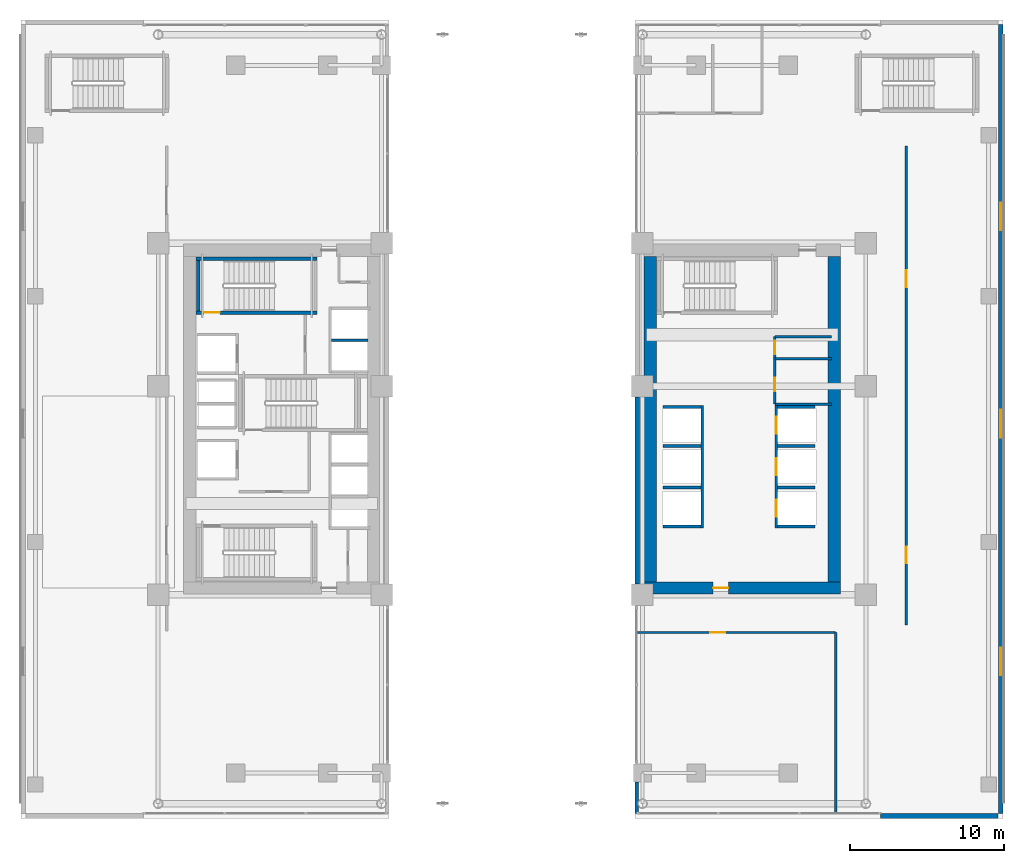
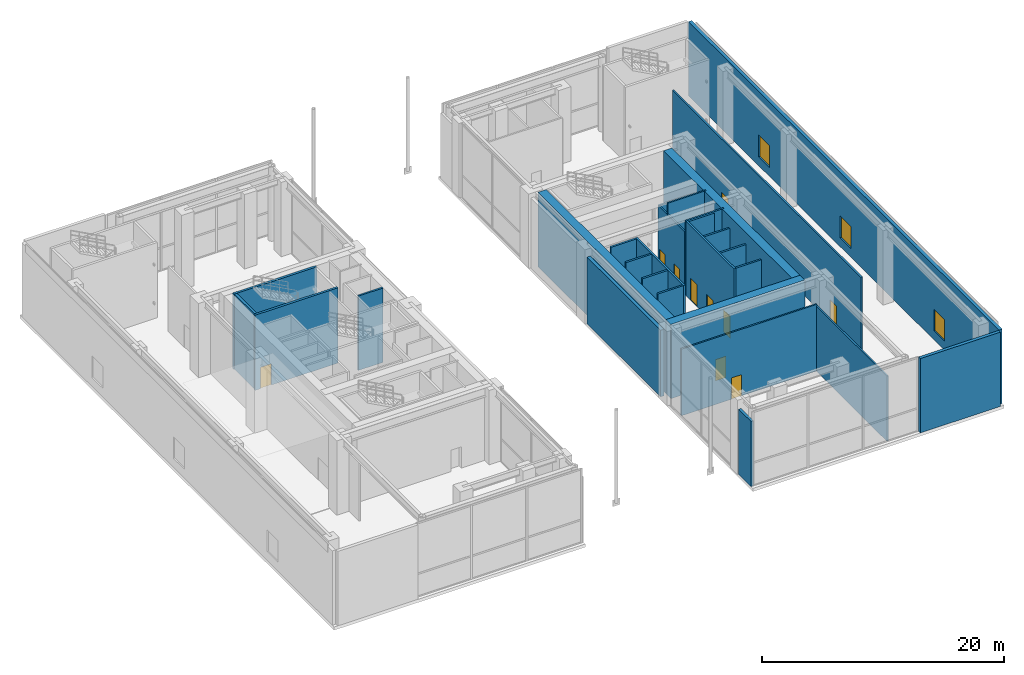
# One storey, part 21 of 29: 28 walls, 10 doors, 3 windows, 13 openings.
"""IFC4 building model written with IfcOpenShell, lengths in metres."""

import ifcopenshell
import ifcopenshell.guid

model = None  # the IFC model being written
_history = None  # IfcOwnerHistory: only IFC2X3 demands one
_inside = {}  # id of a spatial element -> (the spatial element, [elements in it])
_under = {}  # id of a project, library or spatial element -> (it, [spatial elements below it])
_declared = {}  # id of a project -> (the project, [libraries it declares])
_typed = {}  # id of a type object -> (the type object, [elements of that type])
_made_of = {}  # id of a material, layer set ... -> (it, [elements and type objects made of it])


def new_model(schema):
    """Start an empty IFC model of exactly this schema.

    Asked for "IFC4X3", IfcOpenShell would pick the latest addendum, in which some entities
    have other attributes; the version numbers below select the first issue.
    IFC2X3 requires an IfcOwnerHistory on every rooted entity: one is made here for all.
    """
    global model, _history
    if schema == "IFC4X3":
        model = ifcopenshell.file(schema_version=(4, 3, 0, 0))
    else:
        model = ifcopenshell.file(schema=schema)
    _inside.clear()
    _under.clear()
    _declared.clear()
    _typed.clear()
    _made_of.clear()
    _history = None
    if model.schema == "IFC2X3":
        org = make("IfcOrganization", Name="unknown")
        user = make(
            "IfcPersonAndOrganization",
            ThePerson=make("IfcPerson", FamilyName="unknown"),
            TheOrganization=org,
        )
        app = make(
            "IfcApplication",
            ApplicationDeveloper=org,
            Version="unknown",
            ApplicationFullName="unknown",
            ApplicationIdentifier="unknown",
        )
        _history = make(
            "IfcOwnerHistory",
            OwningUser=user,
            OwningApplication=app,
            ChangeAction="ADDED",
            CreationDate=0,
        )
    return model


def make(cls, **values):
    """One entity of the class cls with the attributes given. An attribute that is None is left unset."""
    return model.create_entity(
        cls, **{name: value for name, value in values.items() if value is not None}
    )


def rooted(cls, **values):
    """An entity with a GlobalId (a new one), such as an element, a storey or a relation."""
    return make(cls, GlobalId=ifcopenshell.guid.new(), OwnerHistory=_history, **values)


def si_unit(unit_type, name, prefix=None):
    """IfcSIUnit, for example si_unit("LENGTHUNIT", "METRE", prefix="MILLI")."""
    return make("IfcSIUnit", UnitType=unit_type, Prefix=prefix, Name=name)


def assignment(units):
    """IfcUnitAssignment: the units of a project."""
    return None if units is None else make("IfcUnitAssignment", Units=units)


def point(xyz):
    """IfcCartesianPoint."""
    return None if xyz is None else make("IfcCartesianPoint", Coordinates=xyz)


def direction(xyz):
    """IfcDirection."""
    return None if xyz is None else make("IfcDirection", DirectionRatios=xyz)


def frame(location, z_axis=None, x_axis=None):
    """IfcAxis2Placement3D, a coordinate frame: its origin and axes. An axis left out is left unset."""
    return make(
        "IfcAxis2Placement3D",
        Location=point(location),
        Axis=direction(z_axis),
        RefDirection=direction(x_axis),
    )


def frame_2d(location, x_axis=None):
    """IfcAxis2Placement2D, a coordinate frame in the plane: its origin and x axis."""
    return make(
        "IfcAxis2Placement2D", Location=point(location), RefDirection=direction(x_axis)
    )


def origin():
    """The frame at (0, 0, 0) with its axes left unset."""
    return frame((0.0, 0.0, 0.0))


def place(relative_to, where):
    """IfcLocalPlacement: puts the frame where relative to a parent placement (None: the world)."""
    return make(
        "IfcLocalPlacement", PlacementRelTo=relative_to, RelativePlacement=where
    )


def context(
    kind, dimensions, precision=None, world=None, true_north=None, identifier=None
):
    """IfcGeometricRepresentationContext, for example the 3D "Model" context."""
    return make(
        "IfcGeometricRepresentationContext",
        ContextIdentifier=identifier,
        ContextType=kind,
        CoordinateSpaceDimension=dimensions,
        Precision=precision,
        WorldCoordinateSystem=world,
        TrueNorth=true_north,
    )


def subcontext(parent, identifier, kind, view, scale=None):
    """IfcGeometricRepresentationSubContext, for example "Body" below "Model"."""
    return make(
        "IfcGeometricRepresentationSubContext",
        ContextIdentifier=identifier,
        ContextType=kind,
        ParentContext=parent,
        TargetScale=scale,
        TargetView=view,
    )


def project(units=None, contexts=None):
    """IfcProject with its units and contexts."""
    return rooted(
        "IfcProject",
        Name="project",
        RepresentationContexts=contexts,
        UnitsInContext=assignment(units),
    )


def spatial(cls, under=None, at=None, **own):
    """A site, building, storey or space (cls), placed at a placement, below another one or the project."""
    s = rooted(cls, ObjectPlacement=at, **own)
    if under is not None:
        _under.setdefault(under.id(), (under, []))[1].append(s)
    return s


def profile(cls, at=None, kind="AREA", **sizes):
    """A parametric profile (cls). Its sizes go by their IFC names, for example OverallWidth=200.0."""
    return make(cls, ProfileType=kind, Position=at, **sizes)


def rectangle(**sizes):
    """IfcRectangleProfileDef."""
    return profile("IfcRectangleProfileDef", **sizes)


def extrude(swept, where, along, depth):
    """IfcExtrudedAreaSolid: the profile swept, set in the frame where, extruded along a direction by depth."""
    return make(
        "IfcExtrudedAreaSolid",
        SweptArea=swept,
        Position=where,
        ExtrudedDirection=direction(along),
        Depth=depth,
    )


def shape(context_of_items, identifier, shape_type, items):
    """IfcShapeRepresentation: the items that make up one representation, for example the "Body"."""
    return make(
        "IfcShapeRepresentation",
        ContextOfItems=context_of_items,
        RepresentationIdentifier=identifier,
        RepresentationType=shape_type,
        Items=items,
    )


def source(mapping_origin, context_of_items, identifier, shape_type, items):
    """IfcRepresentationMap: a shape defined once, which mapped items show again and again."""
    return make(
        "IfcRepresentationMap",
        MappingOrigin=mapping_origin,
        MappedRepresentation=shape(context_of_items, identifier, shape_type, items),
    )


def transform(
    local_origin,
    x_axis=None,
    y_axis=None,
    z_axis=None,
    scale=None,
    scale2=None,
    scale3=None,
    uniform=True,
):
    """IfcCartesianTransformationOperator3D, or its non-uniform kind. x_axis, y_axis, z_axis: its Axis1, 2, 3."""
    if uniform:
        return make(
            "IfcCartesianTransformationOperator3D",
            Axis1=direction(x_axis),
            Axis2=direction(y_axis),
            LocalOrigin=point(local_origin),
            Scale=scale,
            Axis3=direction(z_axis),
        )
    return make(
        "IfcCartesianTransformationOperator3DnonUniform",
        Axis1=direction(x_axis),
        Axis2=direction(y_axis),
        LocalOrigin=point(local_origin),
        Scale=scale,
        Axis3=direction(z_axis),
        Scale2=scale2,
        Scale3=scale3,
    )


def mapped(mapping_source, mapping_target):
    """IfcMappedItem: shows the shape of a source again, moved by a transform."""
    return make(
        "IfcMappedItem", MappingSource=mapping_source, MappingTarget=mapping_target
    )


def material(Name=None, Category=None):
    """IfcMaterial."""
    return make("IfcMaterial", Name=Name, Category=Category)


def layer(
    of_material, thickness, ventilated=None, Name=None, Category=None, Priority=None
):
    """IfcMaterialLayer: one layer of a wall or slab, of a material (None: an air gap)."""
    return make(
        "IfcMaterialLayer",
        Material=of_material,
        LayerThickness=thickness,
        IsVentilated=ventilated,
        Name=Name,
        Category=Category,
        Priority=Priority,
    )


def layer_set(layers, Name=None):
    """IfcMaterialLayerSet."""
    return make("IfcMaterialLayerSet", MaterialLayers=layers, LayerSetName=Name)


def made_of(thing, what):
    """Note that an element or type object is made of a material, layer set ...; save() writes the relation."""
    if what is not None:
        _made_of.setdefault(what.id(), (what, []))[1].append(thing)
    return thing


def type_object(cls, material=None, **own):
    """A type object (cls), such as IfcWallType, which elements share."""
    return made_of(rooted(cls, **own), material)


def element(
    cls,
    number,
    at=None,
    inside=None,
    cuts=None,
    type_object=None,
    material=None,
    context=None,
    identifier="Body",
    shape_type=None,
    held_by="IfcProductDefinitionShape",
    body=None,
    shapes=None,
    **own,
):
    """One element of the class cls, such as IfcWall. Its Tag is "e" and its number.

    at: its placement. inside: the storey or other place that contains it. cuts: it is an
    opening in that element (IfcRelVoidsElement). A single representation is given by context,
    identifier, shape_type and body (its items); several are given by shapes. held_by: the class
    of the entity that holds the representations. save() writes the other relations.
    """
    e = rooted(cls, Tag="e%d" % number, ObjectPlacement=at, **own)
    if body is not None:
        shapes = [shape(context, identifier, shape_type, body)]
    if shapes is not None:
        e.Representation = make(held_by, Representations=shapes)
    if inside is not None:
        _inside.setdefault(inside.id(), (inside, []))[1].append(e)
    if cuts is not None:
        rooted(
            "IfcRelVoidsElement", RelatingBuildingElement=cuts, RelatedOpeningElement=e
        )
    if type_object is not None:
        _typed.setdefault(type_object.id(), (type_object, []))[1].append(e)
    return made_of(e, material)


def fill(opening, filler):
    """IfcRelFillsElement: the door or window that sits in an opening."""
    return rooted(
        "IfcRelFillsElement",
        RelatingOpeningElement=opening,
        RelatedBuildingElement=filler,
    )


def aggregate(whole, parts):
    """IfcRelAggregates: a whole, such as a stair, and the parts it consists of."""
    return rooted("IfcRelAggregates", RelatingObject=whole, RelatedObjects=parts)


def save(model, path):
    """Write the relations noted so far, then the file.

    IfcRelAggregates (storeys below a building ...), IfcRelContainedInSpatialStructure (elements
    in a storey), IfcRelDefinesByType, IfcRelAssociatesMaterial and IfcRelDeclares: one each for
    every whole, place, type object, material and project.
    """
    for whole, parts in _under.values():
        aggregate(whole, parts)
    for where, things in _inside.values():
        rooted(
            "IfcRelContainedInSpatialStructure",
            RelatedElements=things,
            RelatingStructure=where,
        )
    for kind, things in _typed.values():
        rooted("IfcRelDefinesByType", RelatedObjects=things, RelatingType=kind)
    for what, things in _made_of.values():
        rooted("IfcRelAssociatesMaterial", RelatedObjects=things, RelatingMaterial=what)
    for by, libraries in _declared.values():
        rooted("IfcRelDeclares", RelatingContext=by, RelatedDefinitions=libraries)
    model.write(path)


model = new_model("IFC4")

# Units and contexts
model_context = context("Model", 3, precision=1e-05, world=origin(), true_north=direction((0.0, 1.0)))
body_context = subcontext(model_context, "Body", "Model", "MODEL_VIEW")
ifc_project = project(units=[si_unit("LENGTHUNIT", "METRE"), si_unit("AREAUNIT", "SQUARE_METRE"), si_unit("VOLUMEUNIT", "CUBIC_METRE"), si_unit("PLANEANGLEUNIT", "RADIAN"), si_unit("MASSUNIT", "GRAM", prefix="KILO")], contexts=[model_context])

# Site, building, storey
site_placement = place(None, origin())
site = spatial("IfcSite", under=ifc_project, at=site_placement, CompositionType="ELEMENT")
building_placement = place(site_placement, origin())
building = spatial("IfcBuilding", under=site, at=building_placement, Name="Ocotamira Hotel", CompositionType="ELEMENT")
storey_placement = place(building_placement, frame((0.0, 0.0, 11.39990234375)))
storey = spatial("IfcBuildingStorey", under=building, at=storey_placement, Name="L03", CompositionType="ELEMENT", Elevation=11.39990234375)

# Wall, opening, door
ifc_material_1 = material(Name="Concrete C60/75", Category="concrete")
ifc_layer_1 = layer(ifc_material_1, 0.800048828125)
ifc_layer_set_1 = layer_set([ifc_layer_1], Name="Concrete C60/75")
wall_type_1 = type_object("IfcWallType", Name="WL-CORE-800", PredefinedType="SHEAR", material=ifc_layer_set_1)
wall_1_placement = place(storey_placement, frame((40.60009765625, 15.0, 0.0), z_axis=(0.0, 0.0, 1.0), x_axis=(1.0, 0.0, 0.0)))
wall_1 = element("IfcWall", 1, at=wall_1_placement, inside=storey, type_object=wall_type_1, Name="L03 Shear Core Wall ECORE-S", PredefinedType="SHEAR", context=body_context, shape_type="SweptSolid", body=[
    extrude(rectangle(XDim=12.7998046875, YDim=0.800048828125, at=frame_2d((6.39990234375, 0.0))), origin(), (0.0, 0.0, 1.0), 7.510009765625),
])
opening_1_placement = place(wall_1_placement, frame((4.5, 0.0, 0.0)))
opening_1 = element("IfcOpeningElement", 2, at=opening_1_placement, cuts=wall_1, Name="Opening D-FR2", PredefinedType="OPENING", context=body_context, shape_type="SweptSolid", body=[
    extrude(rectangle(XDim=1.0, YDim=2.14990234375, at=frame_2d((0.5, 1.074951171875))), frame((0.0, 0.41015625, 0.0), z_axis=(0.0, -1.0, 0.0), x_axis=(1.0, 0.0, 0.0)), (0.0, 0.0, 1.0), 0.820068359375),
])
ifc_material_2 = material(Name="Fire-rated acoustic timber-veneer door", Category="wood")
door_type_1 = type_object("IfcDoorType", Name="DR-FIRE-1000", OperationType="NOTDEFINED", PredefinedType="DOOR", material=ifc_material_2)
shared_shape_1 = source(origin(), body_context, "Body", "SweptSolid", [
    extrude(rectangle(XDim=1.0, YDim=2.14990234375, at=frame_2d((0.5, 1.074951171875))), frame((0.0, 0.02490234375, 0.0), z_axis=(0.0, -1.0, 0.0), x_axis=(1.0, 0.0, 0.0)), (0.0, 0.0, 1.0), 0.050048828125),
])
door_1_placement = place(opening_1_placement, origin())
door_1 = element("IfcDoor", 3, at=door_1_placement, inside=storey, type_object=door_type_1, Name="L03 Door ID-L03-ELOB-S-D [ID-L03-ELOB-S-D]", OperationType="SINGLE_SWING_RIGHT", OverallHeight=2.14990234375, OverallWidth=1.0, PredefinedType="DOOR", context=body_context, shape_type="MappedRepresentation", body=[
    mapped(shared_shape_1, transform((0.0, 0.0, 0.0), scale=1.0)),
])
fill(opening_1, door_1)

# Walls
for number, where, z_axis, x_axis, name in (
    (4, (41.0, 15.39990234375, 0.0), (0.0, 0.0, 1.0), (0.0, 1.0, 0.0), "L03 Shear Core Wall ECORE-W"),
    (5, (53.0, 15.39990234375, 0.0), (0.0, 0.0, 1.0), (0.0, 1.0, 0.0), "L03 Shear Core Wall ECORE-E"),
):
    element("IfcWall", number, at=place(storey_placement, frame(where, z_axis=z_axis, x_axis=x_axis)), inside=storey, type_object=wall_type_1, Name=name, PredefinedType="SHEAR", context=body_context, shape_type="SweptSolid", body=[
        extrude(rectangle(XDim=21.2001953125, YDim=0.800048828125, at=frame_2d((10.60009765625, 0.0))), origin(), (0.0, 0.0, 1.0), 7.510009765625),
    ])

# Wall, openings, windows
ifc_material_3 = material(Name="Travertine-clad precast concrete C45/55", Category="masonry")
ifc_layer_2 = layer(ifc_material_3, 0.300048828125)
ifc_layer_set_2 = layer_set([ifc_layer_2], Name="Travertine-clad precast concrete C45/55")
wall_type_2 = type_object("IfcWallType", Name="WL-EXT-POD-300", PredefinedType="SOLIDWALL", material=ifc_layer_set_2)
wall_2_placement = place(storey_placement, frame((63.85009765625, 51.699951171875, 0.0), z_axis=(0.0, 0.0, 1.0), x_axis=(0.0, -1.0, 0.0)))
wall_2 = element("IfcWall", 6, at=wall_2_placement, inside=storey, type_object=wall_type_2, Name="L03 East Podium Travertine Wall", PredefinedType="SOLIDWALL", context=body_context, shape_type="SweptSolid", body=[
    extrude(rectangle(XDim=51.39990234375, YDim=0.300048828125, at=frame_2d((25.699951171875, 0.0))), origin(), (0.0, 0.0, 1.0), 7.510009765625),
])
opening_2_placement = place(wall_2_placement, frame((40.60009765625, 0.0, 0.89990234375)))
opening_2 = element("IfcOpeningElement", 7, at=opening_2_placement, cuts=wall_2, Name="Opening WN-4", PredefinedType="OPENING", context=body_context, shape_type="SweptSolid", body=[
    extrude(rectangle(XDim=1.800048828125, YDim=2.199951171875, at=frame_2d((0.89990234375, 1.10009765625))), frame((0.0, 0.16015625, 0.0), z_axis=(0.0, -1.0, 0.0), x_axis=(1.0, 0.0, 0.0)), (0.0, 0.0, 1.0), 0.320068359375),
])
opening_3_placement = place(wall_2_placement, frame((25.10009765625, 0.0, 0.89990234375)))
opening_3 = element("IfcOpeningElement", 8, at=opening_3_placement, cuts=wall_2, Name="Opening WN-4", PredefinedType="OPENING", context=body_context, shape_type="SweptSolid", body=[
    extrude(rectangle(XDim=1.800048828125, YDim=2.199951171875, at=frame_2d((0.89990234375, 1.10009765625))), frame((0.0, 0.16015625, 0.0), z_axis=(0.0, -1.0, 0.0), x_axis=(1.0, 0.0, 0.0)), (0.0, 0.0, 1.0), 0.320068359375),
])
opening_4_placement = place(wall_2_placement, frame((11.60009765625, 0.0, 0.89990234375)))
opening_4 = element("IfcOpeningElement", 9, at=opening_4_placement, cuts=wall_2, Name="Opening WN-4", PredefinedType="OPENING", context=body_context, shape_type="SweptSolid", body=[
    extrude(rectangle(XDim=1.800048828125, YDim=2.199951171875, at=frame_2d((0.89990234375, 1.10009765625))), frame((0.0, 0.16015625, 0.0), z_axis=(0.0, -1.0, 0.0), x_axis=(1.0, 0.0, 0.0)), (0.0, 0.0, 1.0), 0.320068359375),
])
ifc_material_4 = material(Name="Double-silver low-E solar glass", Category="glass")
window_type = type_object("IfcWindowType", Name="WIN-POD-1800", PartitioningType="SINGLE_PANEL", PredefinedType="WINDOW", material=ifc_material_4)
shared_shape_2 = source(origin(), body_context, "Body", "SweptSolid", [
    extrude(rectangle(XDim=1.800048828125, YDim=2.199951171875, at=frame_2d((0.89990234375, 1.10009765625))), frame((0.0, 0.030029296875, 0.0), z_axis=(0.0, -1.0, 0.0), x_axis=(1.0, 0.0, 0.0)), (0.0, 0.0, 1.0), 0.06005859375),
])
window_1_placement = place(opening_2_placement, origin())
window_1 = element("IfcWindow", 10, at=window_1_placement, inside=storey, type_object=window_type, Name="L03 East Podium Window 1", OverallHeight=2.199951171875, OverallWidth=1.800048828125, PartitioningType="SINGLE_PANEL", PredefinedType="WINDOW", context=body_context, shape_type="MappedRepresentation", body=[
    mapped(shared_shape_2, transform((0.0, 0.0, 0.0), scale=1.0)),
])
fill(opening_2, window_1)
window_2_placement = place(opening_3_placement, origin())
window_2 = element("IfcWindow", 11, at=window_2_placement, inside=storey, type_object=window_type, Name="L03 East Podium Window 2", OverallHeight=2.199951171875, OverallWidth=1.800048828125, PartitioningType="SINGLE_PANEL", PredefinedType="WINDOW", context=body_context, shape_type="MappedRepresentation", body=[
    mapped(shared_shape_2, transform((0.0, 0.0, 0.0), scale=1.0)),
])
fill(opening_3, window_2)
window_3_placement = place(opening_4_placement, origin())
window_3 = element("IfcWindow", 12, at=window_3_placement, inside=storey, type_object=window_type, Name="L03 East Podium Window 3", OverallHeight=2.199951171875, OverallWidth=1.800048828125, PartitioningType="SINGLE_PANEL", PredefinedType="WINDOW", context=body_context, shape_type="MappedRepresentation", body=[
    mapped(shared_shape_2, transform((0.0, 0.0, 0.0), scale=1.0)),
])
fill(opening_4, window_3)

# Walls
wall_3_placement = place(storey_placement, frame((63.64990234375, 0.14990234375, 0.0), z_axis=(0.0, 0.0, 1.0), x_axis=(-1.0, 0.0, 0.0)))
element("IfcWall", 13, at=wall_3_placement, inside=storey, type_object=wall_type_2, Name="L03 S-East Podium Wall", PredefinedType="SOLIDWALL", context=body_context, shape_type="SweptSolid", body=[
    extrude(rectangle(XDim=7.64990234375, YDim=0.300048828125, at=frame_2d((3.824951171875, 0.0))), origin(), (0.0, 0.0, 1.0), 7.510009765625),
])
wall_4_placement = place(storey_placement, frame((40.1201171875, 0.300048828125, 0.0), z_axis=(0.0, 0.0, 1.0), x_axis=(0.0, 1.0, 0.0)))
element("IfcWall", 14, at=wall_4_placement, inside=storey, type_object=wall_type_2, Name="L03 Giant Arch South Corner Cheek Wall AE", PredefinedType="SOLIDWALL", context=body_context, shape_type="SweptSolid", body=[
    extrude(rectangle(XDim=2.050048828125, YDim=0.239990234375, at=frame_2d((1.02490234375, 0.0))), origin(), (0.0, 0.0, 1.0), 6.5830078125),
])
wall_5_placement = place(storey_placement, frame((40.14990234375, 15.25, 0.0), z_axis=(0.0, 0.0, 1.0), x_axis=(0.0, 1.0, 0.0)))
element("IfcWall", 15, at=wall_5_placement, inside=storey, type_object=wall_type_2, Name="L03 Giant Arch Core Cheek Wall AE-1", PredefinedType="SOLIDWALL", context=body_context, shape_type="SweptSolid", body=[
    extrude(rectangle(XDim=12.199951171875, YDim=0.300048828125, at=frame_2d((6.10009765625, 0.0))), origin(), (0.0, 0.0, 1.0), 6.731201171875),
])
ifc_material_5 = material(Name="Acoustic double-layer fire gypsum board partition", Category="gypsum")
ifc_layer_3 = layer(ifc_material_5, 0.159912109375)
ifc_layer_set_3 = layer_set([ifc_layer_3], Name="Acoustic double-layer fire gypsum board partition")
wall_type_3 = type_object("IfcWallType", Name="WL-FIRE-160", PredefinedType="PARTITIONING", material=ifc_layer_set_3)
wall_6_placement = place(storey_placement, frame((49.1201171875, 26.969970703125, 0.0), z_axis=(0.0, 0.0, 1.0), x_axis=(1.0, 0.0, 0.0)))
element("IfcWall", 16, at=wall_6_placement, inside=storey, type_object=wall_type_3, Name="L03 Interior Wall PW-L03-EC-NE-S", PredefinedType="PARTITIONING", context=body_context, shape_type="SweptSolid", body=[
    extrude(rectangle(XDim=3.679931640625, YDim=0.159912109375, at=frame_2d((1.83984375, 0.0))), origin(), (0.0, 0.0, 1.0), 7.510009765625),
])
wall_7_placement = place(storey_placement, frame((49.1201171875, 31.3798828125, 0.0), z_axis=(0.0, 0.0, 1.0), x_axis=(1.0, 0.0, 0.0)))
element("IfcWall", 17, at=wall_7_placement, inside=storey, type_object=wall_type_3, Name="L03 Interior Wall PW-L03-EC-NE-N", PredefinedType="PARTITIONING", context=body_context, shape_type="SweptSolid", body=[
    extrude(rectangle(XDim=3.679931640625, YDim=0.159912109375, at=frame_2d((1.83984375, 0.0))), origin(), (0.0, 0.0, 1.0), 6.41015625),
])

# Wall, openings, doors
wall_8_placement = place(storey_placement, frame((49.1201171875, 26.969970703125, 0.0), z_axis=(0.0, 0.0, 1.0), x_axis=(0.0, 1.0, 0.0)))
wall_8 = element("IfcWall", 18, at=wall_8_placement, inside=storey, type_object=wall_type_3, Name="L03 Interior Wall PW-L03-EC-NE-W", PredefinedType="PARTITIONING", context=body_context, shape_type="SweptSolid", body=[
    extrude(rectangle(XDim=4.409912109375, YDim=0.159912109375, at=frame_2d((2.205078125, 0.0))), origin(), (0.0, 0.0, 1.0), 6.41015625),
])
opening_5_placement = place(wall_8_placement, frame((0.85009765625, 0.0, 0.0)))
opening_5 = element("IfcOpeningElement", 19, at=opening_5_placement, cuts=wall_8, Name="Opening D-SV2", PredefinedType="OPENING", context=body_context, shape_type="SweptSolid", body=[
    extrude(rectangle(XDim=0.8798828125, YDim=2.14990234375, at=frame_2d((0.43994140625, 1.074951171875))), frame((0.0, 0.08984375, 0.0), z_axis=(0.0, -1.0, 0.0), x_axis=(1.0, 0.0, 0.0)), (0.0, 0.0, 1.0), 0.179931640625),
])
opening_6_placement = place(wall_8_placement, frame((3.25, 0.0, 0.0)))
opening_6 = element("IfcOpeningElement", 20, at=opening_6_placement, cuts=wall_8, Name="Opening D-SV2", PredefinedType="OPENING", context=body_context, shape_type="SweptSolid", body=[
    extrude(rectangle(XDim=0.8798828125, YDim=2.14990234375, at=frame_2d((0.43994140625, 1.074951171875))), frame((0.0, 0.08984375, 0.0), z_axis=(0.0, -1.0, 0.0), x_axis=(1.0, 0.0, 0.0)), (0.0, 0.0, 1.0), 0.179931640625),
])
ifc_material_6 = material(Name="Fire-rated painted steel service door", Category="steel")
door_type_2 = type_object("IfcDoorType", Name="DR-SERV-880", OperationType="NOTDEFINED", PredefinedType="DOOR", material=ifc_material_6)
shared_shape_3 = source(origin(), body_context, "Body", "SweptSolid", [
    extrude(rectangle(XDim=0.8798828125, YDim=2.14990234375, at=frame_2d((0.43994140625, 1.074951171875))), frame((0.0, 0.02490234375, 0.0), z_axis=(0.0, -1.0, 0.0), x_axis=(1.0, 0.0, 0.0)), (0.0, 0.0, 1.0), 0.050048828125),
])
door_2_placement = place(opening_5_placement, origin())
door_2 = element("IfcDoor", 21, at=door_2_placement, inside=storey, type_object=door_type_2, Name="L03 Door ID-L03-EC-NE-D1 [ID-L03-EC-NE-D1]", OperationType="SINGLE_SWING_LEFT", OverallHeight=2.14990234375, OverallWidth=0.8798828125, PredefinedType="DOOR", context=body_context, shape_type="MappedRepresentation", body=[
    mapped(shared_shape_3, transform((0.0, 0.0, 0.0), scale=1.0)),
])
fill(opening_5, door_2)
door_3_placement = place(opening_6_placement, origin())
door_3 = element("IfcDoor", 22, at=door_3_placement, inside=storey, type_object=door_type_2, Name="L03 Door ID-L03-EC-NE-D2 [ID-L03-EC-NE-D2]", OperationType="SINGLE_SWING_RIGHT", OverallHeight=2.14990234375, OverallWidth=0.8798828125, PredefinedType="DOOR", context=body_context, shape_type="MappedRepresentation", body=[
    mapped(shared_shape_3, transform((0.0, 0.0, 0.0), scale=1.0)),
])
fill(opening_6, door_3)

wall_9_placement = place(storey_placement, frame((57.679931640625, 12.60009765625, 0.0), z_axis=(0.0, 0.0, 1.0), x_axis=(0.0, 1.0, 0.0)))
wall_9 = element("IfcWall", 23, at=wall_9_placement, inside=storey, type_object=wall_type_3, Name="L03 Interior Wall PW-L03-L03-BKIT-W", PredefinedType="PARTITIONING", context=body_context, shape_type="SweptSolid", body=[
    extrude(rectangle(XDim=31.199951171875, YDim=0.159912109375, at=frame_2d((15.60009765625, 0.0))), origin(), (0.0, 0.0, 1.0), 7.510009765625),
])
opening_7_placement = place(wall_9_placement, frame((4.0, 0.0, 0.0)))
opening_7 = element("IfcOpeningElement", 24, at=opening_7_placement, cuts=wall_9, Name="Opening D-FR1", PredefinedType="OPENING", context=body_context, shape_type="SweptSolid", body=[
    extrude(rectangle(XDim=1.10009765625, YDim=2.14990234375, at=frame_2d((0.550048828125, 1.074951171875))), frame((0.0, 0.08984375, 0.0), z_axis=(0.0, -1.0, 0.0), x_axis=(1.0, 0.0, 0.0)), (0.0, 0.0, 1.0), 0.179931640625),
])
opening_8_placement = place(wall_9_placement, frame((22.0, 0.0, 0.0)))
opening_8 = element("IfcOpeningElement", 25, at=opening_8_placement, cuts=wall_9, Name="Opening D-FR1", PredefinedType="OPENING", context=body_context, shape_type="SweptSolid", body=[
    extrude(rectangle(XDim=1.10009765625, YDim=2.14990234375, at=frame_2d((0.550048828125, 1.074951171875))), frame((0.0, 0.08984375, 0.0), z_axis=(0.0, -1.0, 0.0), x_axis=(1.0, 0.0, 0.0)), (0.0, 0.0, 1.0), 0.179931640625),
])
door_type_3 = type_object("IfcDoorType", Name="DR-FIRE-1100", OperationType="NOTDEFINED", PredefinedType="DOOR", material=ifc_material_2)
shared_shape_4 = source(origin(), body_context, "Body", "SweptSolid", [
    extrude(rectangle(XDim=1.10009765625, YDim=2.14990234375, at=frame_2d((0.550048828125, 1.074951171875))), frame((0.0, 0.02490234375, 0.0), z_axis=(0.0, -1.0, 0.0), x_axis=(1.0, 0.0, 0.0)), (0.0, 0.0, 1.0), 0.050048828125),
])
door_4_placement = place(opening_7_placement, origin())
door_4 = element("IfcDoor", 26, at=door_4_placement, inside=storey, type_object=door_type_3, Name="L03 Door ID-L03-L03-BKIT-D1 [ID-L03-L03-BKIT-D1]", OperationType="SINGLE_SWING_LEFT", OverallHeight=2.14990234375, OverallWidth=1.10009765625, PredefinedType="DOOR", context=body_context, shape_type="MappedRepresentation", body=[
    mapped(shared_shape_4, transform((0.0, 0.0, 0.0), scale=1.0)),
])
fill(opening_7, door_4)
door_5_placement = place(opening_8_placement, origin())
door_5 = element("IfcDoor", 27, at=door_5_placement, inside=storey, type_object=door_type_3, Name="L03 Door ID-L03-L03-BKIT-D2 [ID-L03-L03-BKIT-D2]", OperationType="SINGLE_SWING_RIGHT", OverallHeight=2.14990234375, OverallWidth=1.10009765625, PredefinedType="DOOR", context=body_context, shape_type="MappedRepresentation", body=[
    mapped(shared_shape_4, transform((0.0, 0.0, 0.0), scale=1.0)),
])
fill(opening_8, door_5)

# Walls
ifc_material_7 = material(Name="Acoustic hospitality gypsum board partition", Category="gypsum")
ifc_layer_4 = layer(ifc_material_7, 0.14990234375)
ifc_layer_set_4 = layer_set([ifc_layer_4], Name="Acoustic hospitality gypsum board partition")
wall_type_4 = type_object("IfcWallType", Name="WL-PART-150", PredefinedType="PARTITIONING", material=ifc_layer_set_4)
wall_10_placement = place(storey_placement, frame((49.1201171875, 29.929931640625, 0.0), z_axis=(0.0, 0.0, 1.0), x_axis=(1.0, 0.0, 0.0)))
element("IfcWall", 28, at=wall_10_placement, inside=storey, type_object=wall_type_4, Name="L03 Interior Wall PW-L03-EC-NE-Y", PredefinedType="PARTITIONING", context=body_context, shape_type="SweptSolid", body=[
    extrude(rectangle(XDim=3.679931640625, YDim=0.14990234375, at=frame_2d((1.83984375, 0.0))), origin(), (0.0, 0.0, 1.0), 7.510009765625),
])
wall_11_placement = place(storey_placement, frame((53.080078125, 0.35009765625, 0.0), z_axis=(0.0, 0.0, 1.0), x_axis=(0.0, 1.0, 0.0)))
element("IfcWall", 29, at=wall_11_placement, inside=storey, type_object=wall_type_4, Name="L03 Interior Wall PW-L03-L03-BRID-E", PredefinedType="PARTITIONING", context=body_context, shape_type="SweptSolid", body=[
    extrude(rectangle(XDim=11.75, YDim=0.14990234375, at=frame_2d((5.875, 0.0))), origin(), (0.0, 0.0, 1.0), 6.5830078125),
])

# Wall, opening, door
wall_12_placement = place(storey_placement, frame((40.1201171875, 12.10009765625, 0.0), z_axis=(0.0, 0.0, 1.0), x_axis=(1.0, 0.0, 0.0)))
wall_12 = element("IfcWall", 30, at=wall_12_placement, inside=storey, type_object=wall_type_4, Name="L03 Interior Wall PW-L03-L03-BRID-N", PredefinedType="PARTITIONING", context=body_context, shape_type="SweptSolid", body=[
    extrude(rectangle(XDim=12.9599609375, YDim=0.14990234375, at=frame_2d((6.47998046875, 0.0))), origin(), (0.0, 0.0, 1.0), 6.731201171875),
])
opening_9_placement = place(wall_12_placement, frame((4.800048828125, 0.0, 0.0)))
opening_9 = element("IfcOpeningElement", 31, at=opening_9_placement, cuts=wall_12, Name="Opening D-SV4", PredefinedType="OPENING", context=body_context, shape_type="SweptSolid", body=[
    extrude(rectangle(XDim=0.9599609375, YDim=2.14990234375, at=frame_2d((0.47998046875, 1.074951171875))), frame((0.0, 0.0849609375, 0.0), z_axis=(0.0, -1.0, 0.0), x_axis=(1.0, 0.0, 0.0)), (0.0, 0.0, 1.0), 0.169921875),
])
ifc_material_8 = material(Name="Fire-rated accessible walnut salon door", Category="wood")
door_type_4 = type_object("IfcDoorType", Name="DR-SERV-960", OperationType="NOTDEFINED", PredefinedType="DOOR", material=ifc_material_8)
shared_shape_5 = source(origin(), body_context, "Body", "SweptSolid", [
    extrude(rectangle(XDim=0.9599609375, YDim=2.14990234375, at=frame_2d((0.47998046875, 1.074951171875))), frame((0.0, 0.02490234375, 0.0), z_axis=(0.0, -1.0, 0.0), x_axis=(1.0, 0.0, 0.0)), (0.0, 0.0, 1.0), 0.050048828125),
])
door_6_placement = place(opening_9_placement, origin())
door_6 = element("IfcDoor", 32, at=door_6_placement, inside=storey, type_object=door_type_4, Name="L03 Door ID-L03-L03-BRID-D [ID-L03-L03-BRID-D]", OperationType="SINGLE_SWING_LEFT", OverallHeight=2.14990234375, OverallWidth=0.9599609375, PredefinedType="DOOR", context=body_context, shape_type="MappedRepresentation", body=[
    mapped(shared_shape_5, transform((0.0, 0.0, 0.0), scale=1.0)),
])
fill(opening_9, door_6)

# Wall, openings, doors
ifc_material_9 = material(Name="Fire-rated gypsum shaftliner board assembly", Category="gypsum")
ifc_layer_5 = layer(ifc_material_9, 0.179931640625)
ifc_layer_set_5 = layer_set([ifc_layer_5], Name="Fire-rated gypsum shaftliner board assembly")
wall_type_5 = type_object("IfcWallType", Name="WL-SHAFT-180", PredefinedType="SOLIDWALL", material=ifc_layer_set_5)
wall_13_placement = place(storey_placement, frame((49.2099609375, 18.919921875, 0.0), z_axis=(0.0, 0.0, 1.0), x_axis=(0.0, 1.0, 0.0)))
wall_13 = element("IfcWall", 33, at=wall_13_placement, inside=storey, type_object=wall_type_5, Name="L03 Interior Wall PW-L03-LFW-BANK-low-F", PredefinedType="SOLIDWALL", context=body_context, shape_type="SweptSolid", body=[
    extrude(rectangle(XDim=7.9599609375, YDim=0.179931640625, at=frame_2d((3.97998046875, 0.0))), origin(), (0.0, 0.0, 1.0), 7.510009765625),
])
opening_10_placement = place(wall_13_placement, frame((0.72998046875, 0.0, 0.0)))
opening_10 = element("IfcOpeningElement", 34, at=opening_10_placement, cuts=wall_13, Name="Opening LD-LF-P1", PredefinedType="OPENING", context=body_context, shape_type="SweptSolid", body=[
    extrude(rectangle(XDim=1.10009765625, YDim=2.199951171875, at=frame_2d((0.550048828125, 1.10009765625))), frame((0.0, 0.10009765625, 0.0), z_axis=(0.0, -1.0, 0.0), x_axis=(1.0, 0.0, 0.0)), (0.0, 0.0, 1.0), 0.199951171875),
])
opening_11_placement = place(wall_13_placement, frame((3.429931640625, 0.0, 0.0)))
opening_11 = element("IfcOpeningElement", 35, at=opening_11_placement, cuts=wall_13, Name="Opening LD-LF-P2", PredefinedType="OPENING", context=body_context, shape_type="SweptSolid", body=[
    extrude(rectangle(XDim=1.10009765625, YDim=2.199951171875, at=frame_2d((0.550048828125, 1.10009765625))), frame((0.0, 0.10009765625, 0.0), z_axis=(0.0, -1.0, 0.0), x_axis=(1.0, 0.0, 0.0)), (0.0, 0.0, 1.0), 0.199951171875),
])
opening_12_placement = place(wall_13_placement, frame((6.1298828125, 0.0, 0.0)))
opening_12 = element("IfcOpeningElement", 36, at=opening_12_placement, cuts=wall_13, Name="Opening LD-LF-P3", PredefinedType="OPENING", context=body_context, shape_type="SweptSolid", body=[
    extrude(rectangle(XDim=1.10009765625, YDim=2.199951171875, at=frame_2d((0.550048828125, 1.10009765625))), frame((0.0, 0.10009765625, 0.0), z_axis=(0.0, -1.0, 0.0), x_axis=(1.0, 0.0, 0.0)), (0.0, 0.0, 1.0), 0.199951171875),
])
ifc_material_10 = material(Name="Brushed pale-metal stainless elevator landing door", Category="steel")
door_type_5 = type_object("IfcDoorType", Name="DR-LIFT-1100", OperationType="NOTDEFINED", PredefinedType="DOOR", material=ifc_material_10)
shared_shape_6 = source(origin(), body_context, "Body", "SweptSolid", [
    extrude(rectangle(XDim=1.10009765625, YDim=2.199951171875, at=frame_2d((0.550048828125, 1.10009765625))), frame((0.0, 0.02490234375, 0.0), z_axis=(0.0, -1.0, 0.0), x_axis=(1.0, 0.0, 0.0)), (0.0, 0.0, 1.0), 0.050048828125),
])
door_7_placement = place(opening_10_placement, origin())
door_7 = element("IfcDoor", 37, at=door_7_placement, inside=storey, type_object=door_type_5, Name="L03 Landing Door LD-LF-P1 [ID-L03-LD-LF-P1]", OperationType="DOUBLE_DOOR_SLIDING", OverallHeight=2.199951171875, OverallWidth=1.10009765625, PredefinedType="DOOR", context=body_context, shape_type="MappedRepresentation", body=[
    mapped(shared_shape_6, transform((0.0, 0.0, 0.0), scale=1.0)),
])
fill(opening_10, door_7)
door_8_placement = place(opening_11_placement, origin())
door_8 = element("IfcDoor", 38, at=door_8_placement, inside=storey, type_object=door_type_5, Name="L03 Landing Door LD-LF-P2 [ID-L03-LD-LF-P2]", OperationType="DOUBLE_DOOR_SLIDING", OverallHeight=2.199951171875, OverallWidth=1.10009765625, PredefinedType="DOOR", context=body_context, shape_type="MappedRepresentation", body=[
    mapped(shared_shape_6, transform((0.0, 0.0, 0.0), scale=1.0)),
])
fill(opening_11, door_8)
door_9_placement = place(opening_12_placement, origin())
door_9 = element("IfcDoor", 39, at=door_9_placement, inside=storey, type_object=door_type_5, Name="L03 Landing Door LD-LF-P3 [ID-L03-LD-LF-P3]", OperationType="DOUBLE_DOOR_SLIDING", OverallHeight=2.199951171875, OverallWidth=1.10009765625, PredefinedType="DOOR", context=body_context, shape_type="MappedRepresentation", body=[
    mapped(shared_shape_6, transform((0.0, 0.0, 0.0), scale=1.0)),
])
fill(opening_12, door_9)

# Walls
for number, where, z_axis, x_axis, name in (
    (40, (49.300048828125, 19.010009765625, 0.0), (0.0, 0.0, 1.0), (1.0, 0.0, 0.0), "L03 Interior Wall PW-L03-LFW-BANK-low-S"),
    (41, (49.300048828125, 26.7900390625, 0.0), (0.0, 0.0, 1.0), (1.0, 0.0, 0.0), "L03 Interior Wall PW-L03-LFW-BANK-low-N"),
    (42, (49.300048828125, 21.550048828125, 0.0), (0.0, 0.0, 1.0), (1.0, 0.0, 0.0), "L03 Interior Wall PW-L03-LFW-DIV-LF-P1"),
    (43, (49.300048828125, 24.25, 0.0), (0.0, 0.0, 1.0), (1.0, 0.0, 0.0), "L03 Interior Wall PW-L03-LFW-DIV-LF-P2"),
):
    element("IfcWall", number, at=place(storey_placement, frame(where, z_axis=z_axis, x_axis=x_axis)), inside=storey, type_object=wall_type_5, Name=name, PredefinedType="SOLIDWALL", context=body_context, shape_type="SweptSolid", body=[
        extrude(rectangle(XDim=2.449951171875, YDim=0.179931640625, at=frame_2d((1.22509765625, 0.0))), origin(), (0.0, 0.0, 1.0), 7.510009765625),
    ])
wall_14_placement = place(storey_placement, frame((44.389892578125, 18.919921875, 0.0), z_axis=(0.0, 0.0, 1.0), x_axis=(0.0, 1.0, 0.0)))
element("IfcWall", 44, at=wall_14_placement, inside=storey, type_object=wall_type_5, Name="L03 Interior Wall PW-L03-LFW-BANK-mid-F", PredefinedType="SOLIDWALL", context=body_context, shape_type="SweptSolid", body=[
    extrude(rectangle(XDim=7.9599609375, YDim=0.179931640625, at=frame_2d((3.97998046875, 0.0))), origin(), (0.0, 0.0, 1.0), 7.510009765625),
])
for number, where, z_axis, x_axis, name in (
    (45, (41.85009765625, 19.010009765625, 0.0), (0.0, 0.0, 1.0), (1.0, 0.0, 0.0), "L03 Interior Wall PW-L03-LFW-BANK-mid-S"),
    (46, (41.85009765625, 26.7900390625, 0.0), (0.0, 0.0, 1.0), (1.0, 0.0, 0.0), "L03 Interior Wall PW-L03-LFW-BANK-mid-N"),
    (47, (41.85009765625, 21.550048828125, 0.0), (0.0, 0.0, 1.0), (1.0, 0.0, 0.0), "L03 Interior Wall PW-L03-LFW-DIV-LF-P4"),
    (48, (41.85009765625, 24.25, 0.0), (0.0, 0.0, 1.0), (1.0, 0.0, 0.0), "L03 Interior Wall PW-L03-LFW-DIV-LF-P5"),
):
    element("IfcWall", number, at=place(storey_placement, frame(where, z_axis=z_axis, x_axis=x_axis)), inside=storey, type_object=wall_type_5, Name=name, PredefinedType="SOLIDWALL", context=body_context, shape_type="SweptSolid", body=[
        extrude(rectangle(XDim=2.449951171875, YDim=0.179931640625, at=frame_2d((1.22509765625, 0.0))), origin(), (0.0, 0.0, 1.0), 7.510009765625),
    ])
wall_15_placement = place(storey_placement, frame((20.25, 31.14501953125, 0.0), z_axis=(0.0, 0.0, 1.0), x_axis=(1.0, 0.0, 0.0)))
element("IfcWall", 49, at=wall_15_placement, inside=storey, type_object=wall_type_5, Name="L03 Interior Wall PW-L03-LFW-DIV-LF-OBS1", PredefinedType="SOLIDWALL", context=body_context, shape_type="SweptSolid", body=[
    extrude(rectangle(XDim=2.360107421875, YDim=0.179931640625, at=frame_2d((1.18017578125, 0.0))), origin(), (0.0, 0.0, 1.0), 7.510009765625),
])

# Wall, opening, door
ifc_material_11 = material(Name="Concrete C50/60", Category="concrete")
ifc_layer_6 = layer(ifc_material_11, 0.219970703125)
ifc_layer_set_6 = layer_set([ifc_layer_6], Name="Concrete C50/60")
wall_type_6 = type_object("IfcWallType", Name="WL-STAIR-220", PredefinedType="SHEAR", material=ifc_layer_set_6)
wall_16_placement = place(storey_placement, frame((11.39990234375, 32.93994140625, 0.0), z_axis=(0.0, 0.0, 1.0), x_axis=(1.0, 0.0, 0.0)))
wall_16 = element("IfcWall", 50, at=wall_16_placement, inside=storey, type_object=wall_type_6, Name="L03 Stair Shaft Structural Wall ST-2-S", PredefinedType="SHEAR", context=body_context, shape_type="SweptSolid", body=[
    extrude(rectangle(XDim=7.91015625, YDim=0.219970703125, at=frame_2d((3.955078125, 0.0))), origin(), (0.0, 0.0, 1.0), 7.60009765625),
])
opening_13_placement = place(wall_16_placement, frame((0.52001953125, 0.0, 0.0)))
opening_13 = element("IfcOpeningElement", 51, at=opening_13_placement, cuts=wall_16, Name="Opening D-ST2", PredefinedType="OPENING", context=body_context, shape_type="SweptSolid", body=[
    extrude(rectangle(XDim=1.050048828125, YDim=2.14990234375, at=frame_2d((0.52490234375, 1.074951171875))), frame((0.0, 0.1201171875, 0.0), z_axis=(0.0, -1.0, 0.0), x_axis=(1.0, 0.0, 0.0)), (0.0, 0.0, 1.0), 0.239990234375),
])
ifc_material_12 = material(Name="Insulated painted hollow-metal fire exit door", Category="steel")
door_type_6 = type_object("IfcDoorType", Name="DR-STAIR-1050", OperationType="NOTDEFINED", PredefinedType="DOOR", material=ifc_material_12)
shared_shape_7 = source(origin(), body_context, "Body", "SweptSolid", [
    extrude(rectangle(XDim=1.050048828125, YDim=2.14990234375, at=frame_2d((0.52490234375, 1.074951171875))), frame((0.0, 0.02490234375, 0.0), z_axis=(0.0, -1.0, 0.0), x_axis=(1.0, 0.0, 0.0)), (0.0, 0.0, 1.0), 0.050048828125),
])
door_10_placement = place(opening_13_placement, origin())
door_10 = element("IfcDoor", 52, at=door_10_placement, inside=storey, type_object=door_type_6, Name="L03 Door ID-L03-STD-ST-2 [ID-L03-STD-ST-2]", OperationType="SINGLE_SWING_LEFT", OverallHeight=2.14990234375, OverallWidth=1.050048828125, PredefinedType="DOOR", context=body_context, shape_type="MappedRepresentation", body=[
    mapped(shared_shape_7, transform((0.0, 0.0, 0.0), scale=1.0)),
])
fill(opening_13, door_10)

# Walls
wall_17_placement = place(storey_placement, frame((11.39990234375, 36.43994140625, 0.0), z_axis=(0.0, 0.0, 1.0), x_axis=(1.0, 0.0, 0.0)))
element("IfcWall", 53, at=wall_17_placement, inside=storey, type_object=wall_type_6, Name="L03 Stair Shaft Structural Wall ST-2-N", PredefinedType="SHEAR", context=body_context, shape_type="SweptSolid", body=[
    extrude(rectangle(XDim=7.91015625, YDim=0.219970703125, at=frame_2d((3.955078125, 0.0))), origin(), (0.0, 0.0, 1.0), 7.60009765625),
])
wall_18_placement = place(storey_placement, frame((11.56005859375, 33.050048828125, 0.0), z_axis=(0.0, 0.0, 1.0), x_axis=(0.0, 1.0, 0.0)))
element("IfcWall", 54, at=wall_18_placement, inside=storey, type_object=wall_type_6, Name="L03 Stair Shaft Structural Wall ST-2-W", PredefinedType="SHEAR", context=body_context, shape_type="SweptSolid", body=[
    extrude(rectangle(XDim=3.280029296875, YDim=0.219970703125, at=frame_2d((1.64013671875, 0.0))), origin(), (0.0, 0.0, 1.0), 7.60009765625),
])

save(model, "model.ifc")
